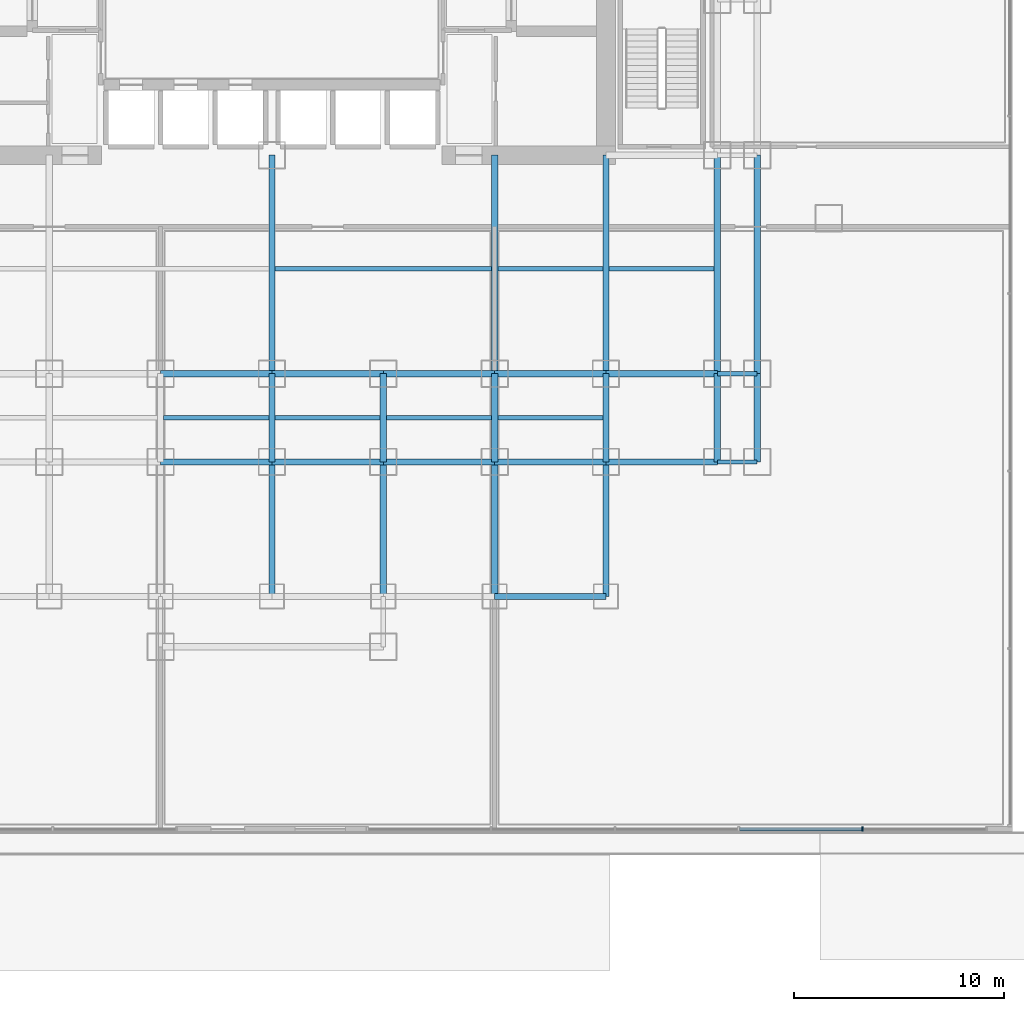
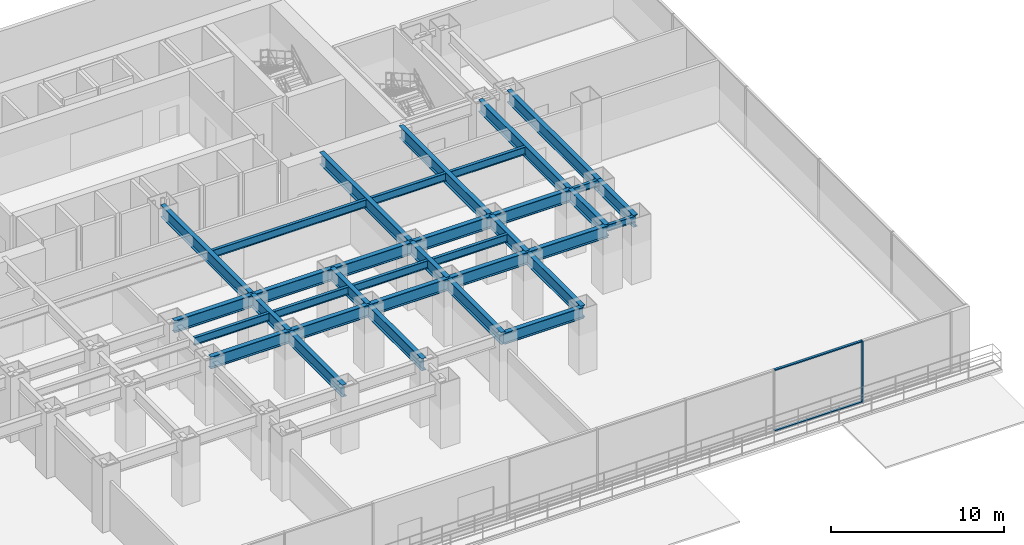
# One storey, part 4 of 13: 35 beams, 3 members, 1 element without a shape of its own.
"""IFC4 building model written with IfcOpenShell, lengths in metres."""

from ifc_helpers import new_model, si_unit, direction, frame, origin, origin_2d, place, context, subcontext, project, spatial, rectangle, i_section, extrude, source, transform, mapped, material, layer, layer_set, material_profile, profile_set, type_object, element, aggregate, save


model = new_model("IFC4")

# Units and contexts
model_context = context("Model", 3, precision=1e-05, world=origin(), true_north=direction((0.0, 1.0)))
body_context = subcontext(model_context, "Body", "Model", "MODEL_VIEW")
ifc_project = project(units=[si_unit("LENGTHUNIT", "METRE"), si_unit("AREAUNIT", "SQUARE_METRE"), si_unit("VOLUMEUNIT", "CUBIC_METRE"), si_unit("PLANEANGLEUNIT", "RADIAN"), si_unit("MASSUNIT", "GRAM", prefix="KILO")], contexts=[model_context])

# Site, building, storey
site_placement = place(None, origin())
site = spatial("IfcSite", under=ifc_project, at=site_placement, CompositionType="ELEMENT")
building_placement = place(site_placement, origin())
building = spatial("IfcBuilding", under=site, at=building_placement, Name="Qianlan Lanfeng Residences", CompositionType="ELEMENT")
storey_placement = place(building_placement, frame((0.0, 0.0, 5.199951171875)))
storey = spatial("IfcBuildingStorey", under=building, at=storey_placement, Name="L01", CompositionType="ELEMENT", Elevation=5.199951171875)

# Beams
ifc_material_1 = material(Name="Steel SN490B", Category="steel")
ifc_material_profile_1 = material_profile(ifc_material_1, i_section(OverallWidth=0.300048828125, OverallDepth=0.85009765625, WebThickness=0.01611328125, FlangeThickness=0.031982421875, at=origin_2d()), Name="H 850x300x16x32")
ifc_profile_set_1 = profile_set([ifc_material_profile_1], Name="Steel SN490B")
beam_type_1 = type_object("IfcBeamType", Name="G-1100", PredefinedType="BEAM", material=ifc_profile_set_1)
for number, where, z_axis, x_axis, name in (
    (1, (21.199951171875, 10.60009765625, 3.925048828125), (1.0, 0.0, 0.0), (0.0, 1.0, 0.0), "Structural beam G-1100"),
    (2, (26.5, 10.60009765625, 3.925048828125), (1.0, 0.0, 0.0), (0.0, 1.0, 0.0), "Structural beam G-1100"),
    (3, (31.800048828125, 10.60009765625, 3.925048828125), (1.0, 0.0, 0.0), (0.0, 1.0, 0.0), "Structural beam G-1100"),
):
    element("IfcBeam", number, at=place(storey_placement, frame(where, z_axis=z_axis, x_axis=x_axis)), inside=storey, type_object=beam_type_1, Name=name, PredefinedType="BEAM", context=body_context, shape_type="SweptSolid", body=[
        extrude(i_section(OverallWidth=0.300048828125, OverallDepth=0.85009765625, WebThickness=0.01611328125, FlangeThickness=0.031982421875, at=origin_2d()), origin(), (0.0, 0.0, 1.0), 5.300048828125),
    ])
beam_1_placement = place(storey_placement, frame((37.10009765625, 10.60009765625, 3.925048828125), z_axis=(1.0, 0.0, 0.0), x_axis=(0.0, 1.0, 0.0)))
element("IfcBeam", 4, at=beam_1_placement, inside=storey, type_object=beam_type_1, Name="Structural beam G-1100", PredefinedType="BEAM", context=body_context, shape_type="SweptSolid", body=[
    extrude(i_section(OverallWidth=0.300048828125, OverallDepth=0.85009765625, WebThickness=0.01611328125, FlangeThickness=0.031982421875, at=origin_2d()), origin(), (0.0, 0.0, 1.0), 5.2998046875),
])
for number, where, z_axis, x_axis, name in (
    (5, (42.39990234375, 10.60009765625, 3.925048828125), (1.0, 0.0, 0.0), (0.0, 1.0, 0.0), "Structural beam G-1100"),
    (6, (21.199951171875, 14.800048828125, 3.925048828125), (1.0, 0.0, 0.0), (0.0, 1.0, 0.0), "Structural beam G-1100"),
    (7, (26.5, 14.800048828125, 3.925048828125), (1.0, 0.0, 0.0), (0.0, 1.0, 0.0), "Structural beam G-1100"),
    (8, (31.800048828125, 14.800048828125, 3.925048828125), (1.0, 0.0, 0.0), (0.0, 1.0, 0.0), "Structural beam G-1100"),
):
    element("IfcBeam", number, at=place(storey_placement, frame(where, z_axis=z_axis, x_axis=x_axis)), inside=storey, type_object=beam_type_1, Name=name, PredefinedType="BEAM", context=body_context, shape_type="SweptSolid", body=[
        extrude(i_section(OverallWidth=0.300048828125, OverallDepth=0.85009765625, WebThickness=0.01611328125, FlangeThickness=0.031982421875, at=origin_2d()), origin(), (0.0, 0.0, 1.0), 5.300048828125),
    ])
beam_2_placement = place(storey_placement, frame((37.10009765625, 14.800048828125, 3.925048828125), z_axis=(1.0, 0.0, 0.0), x_axis=(0.0, 1.0, 0.0)))
element("IfcBeam", 9, at=beam_2_placement, inside=storey, type_object=beam_type_1, Name="Structural beam G-1100", PredefinedType="BEAM", context=body_context, shape_type="SweptSolid", body=[
    extrude(i_section(OverallWidth=0.300048828125, OverallDepth=0.85009765625, WebThickness=0.01611328125, FlangeThickness=0.031982421875, at=origin_2d()), origin(), (0.0, 0.0, 1.0), 5.2998046875),
])
beam_3_placement = place(storey_placement, frame((42.39990234375, 14.800048828125, 3.925048828125), z_axis=(1.0, 0.0, 0.0), x_axis=(0.0, 1.0, 0.0)))
element("IfcBeam", 10, at=beam_3_placement, inside=storey, type_object=beam_type_1, Name="Structural beam G-1100", PredefinedType="BEAM", context=body_context, shape_type="SweptSolid", body=[
    extrude(i_section(OverallWidth=0.300048828125, OverallDepth=0.85009765625, WebThickness=0.01611328125, FlangeThickness=0.031982421875, at=origin_2d()), origin(), (0.0, 0.0, 1.0), 5.300048828125),
])
beam_4_placement = place(storey_placement, frame((26.5, 4.199951171875, 3.925048828125), z_axis=(0.0, 1.0, 0.0), x_axis=(-1.0, 0.0, 0.0)))
element("IfcBeam", 11, at=beam_4_placement, inside=storey, type_object=beam_type_1, Name="Structural beam G-1100", PredefinedType="BEAM", context=body_context, shape_type="SweptSolid", body=[
    extrude(i_section(OverallWidth=0.300048828125, OverallDepth=0.85009765625, WebThickness=0.01611328125, FlangeThickness=0.031982421875, at=origin_2d()), origin(), (0.0, 0.0, 1.0), 6.400146484375),
])
beam_5_placement = place(storey_placement, frame((26.5, 10.60009765625, 3.925048828125), z_axis=(0.0, 1.0, 0.0), x_axis=(-1.0, 0.0, 0.0)))
element("IfcBeam", 12, at=beam_5_placement, inside=storey, type_object=beam_type_1, Name="Structural beam G-1100", PredefinedType="BEAM", context=body_context, shape_type="SweptSolid", body=[
    extrude(i_section(OverallWidth=0.300048828125, OverallDepth=0.85009765625, WebThickness=0.01611328125, FlangeThickness=0.031982421875, at=origin_2d()), origin(), (0.0, 0.0, 1.0), 4.199951171875),
])
beam_6_placement = place(storey_placement, frame((26.5, 14.800048828125, 3.925048828125), z_axis=(0.0, 1.0, 0.0), x_axis=(-1.0, 0.0, 0.0)))
element("IfcBeam", 13, at=beam_6_placement, inside=storey, type_object=beam_type_1, Name="Structural beam G-1100", PredefinedType="BEAM", context=body_context, shape_type="SweptSolid", body=[
    extrude(i_section(OverallWidth=0.300048828125, OverallDepth=0.85009765625, WebThickness=0.01611328125, FlangeThickness=0.031982421875, at=origin_2d()), origin(), (0.0, 0.0, 1.0), 10.39990234375),
])
beam_7_placement = place(storey_placement, frame((31.800048828125, 4.199951171875, 3.925048828125), z_axis=(0.0, 1.0, 0.0), x_axis=(-1.0, 0.0, 0.0)))
element("IfcBeam", 14, at=beam_7_placement, inside=storey, type_object=beam_type_1, Name="Structural beam G-1100", PredefinedType="BEAM", context=body_context, shape_type="SweptSolid", body=[
    extrude(i_section(OverallWidth=0.300048828125, OverallDepth=0.85009765625, WebThickness=0.01611328125, FlangeThickness=0.031982421875, at=origin_2d()), origin(), (0.0, 0.0, 1.0), 6.400146484375),
])
beam_8_placement = place(storey_placement, frame((31.800048828125, 10.60009765625, 3.925048828125), z_axis=(0.0, 1.0, 0.0), x_axis=(-1.0, 0.0, 0.0)))
element("IfcBeam", 15, at=beam_8_placement, inside=storey, type_object=beam_type_1, Name="Structural beam G-1100", PredefinedType="BEAM", context=body_context, shape_type="SweptSolid", body=[
    extrude(i_section(OverallWidth=0.300048828125, OverallDepth=0.85009765625, WebThickness=0.01611328125, FlangeThickness=0.031982421875, at=origin_2d()), origin(), (0.0, 0.0, 1.0), 4.199951171875),
])
beam_9_placement = place(storey_placement, frame((37.10009765625, 4.199951171875, 3.925048828125), z_axis=(0.0, 1.0, 0.0), x_axis=(-1.0, 0.0, 0.0)))
element("IfcBeam", 16, at=beam_9_placement, inside=storey, type_object=beam_type_1, Name="Structural beam G-1100", PredefinedType="BEAM", context=body_context, shape_type="SweptSolid", body=[
    extrude(i_section(OverallWidth=0.300048828125, OverallDepth=0.85009765625, WebThickness=0.01611328125, FlangeThickness=0.031982421875, at=origin_2d()), origin(), (0.0, 0.0, 1.0), 6.400146484375),
])
beam_10_placement = place(storey_placement, frame((37.10009765625, 10.60009765625, 3.925048828125), z_axis=(0.0, 1.0, 0.0), x_axis=(-1.0, 0.0, 0.0)))
element("IfcBeam", 17, at=beam_10_placement, inside=storey, type_object=beam_type_1, Name="Structural beam G-1100", PredefinedType="BEAM", context=body_context, shape_type="SweptSolid", body=[
    extrude(i_section(OverallWidth=0.300048828125, OverallDepth=0.85009765625, WebThickness=0.01611328125, FlangeThickness=0.031982421875, at=origin_2d()), origin(), (0.0, 0.0, 1.0), 4.199951171875),
])
beam_11_placement = place(storey_placement, frame((37.10009765625, 14.800048828125, 3.925048828125), z_axis=(0.0, 1.0, 0.0), x_axis=(-1.0, 0.0, 0.0)))
element("IfcBeam", 18, at=beam_11_placement, inside=storey, type_object=beam_type_1, Name="Structural beam G-1100", PredefinedType="BEAM", context=body_context, shape_type="SweptSolid", body=[
    extrude(i_section(OverallWidth=0.300048828125, OverallDepth=0.85009765625, WebThickness=0.01611328125, FlangeThickness=0.031982421875, at=origin_2d()), origin(), (0.0, 0.0, 1.0), 10.39990234375),
])
beam_12_placement = place(storey_placement, frame((42.39990234375, 4.199951171875, 3.925048828125), z_axis=(0.0, 1.0, 0.0), x_axis=(-1.0, 0.0, 0.0)))
element("IfcBeam", 19, at=beam_12_placement, inside=storey, type_object=beam_type_1, Name="Structural beam G-1100", PredefinedType="BEAM", context=body_context, shape_type="SweptSolid", body=[
    extrude(i_section(OverallWidth=0.300048828125, OverallDepth=0.85009765625, WebThickness=0.01611328125, FlangeThickness=0.031982421875, at=origin_2d()), origin(), (0.0, 0.0, 1.0), 6.400146484375),
])
beam_13_placement = place(storey_placement, frame((42.39990234375, 10.60009765625, 3.925048828125), z_axis=(0.0, 1.0, 0.0), x_axis=(-1.0, 0.0, 0.0)))
element("IfcBeam", 20, at=beam_13_placement, inside=storey, type_object=beam_type_1, Name="Structural beam G-1100", PredefinedType="BEAM", context=body_context, shape_type="SweptSolid", body=[
    extrude(i_section(OverallWidth=0.300048828125, OverallDepth=0.85009765625, WebThickness=0.01611328125, FlangeThickness=0.031982421875, at=origin_2d()), origin(), (0.0, 0.0, 1.0), 4.199951171875),
])
beam_14_placement = place(storey_placement, frame((42.39990234375, 14.800048828125, 3.925048828125), z_axis=(0.0, 1.0, 0.0), x_axis=(-1.0, 0.0, 0.0)))
element("IfcBeam", 21, at=beam_14_placement, inside=storey, type_object=beam_type_1, Name="Structural beam G-1100", PredefinedType="BEAM", context=body_context, shape_type="SweptSolid", body=[
    extrude(i_section(OverallWidth=0.300048828125, OverallDepth=0.85009765625, WebThickness=0.01611328125, FlangeThickness=0.031982421875, at=origin_2d()), origin(), (0.0, 0.0, 1.0), 10.39990234375),
])
beam_15_placement = place(storey_placement, frame((47.699951171875, 10.60009765625, 3.925048828125), z_axis=(0.0, 1.0, 0.0), x_axis=(-1.0, 0.0, 0.0)))
element("IfcBeam", 22, at=beam_15_placement, inside=storey, type_object=beam_type_1, Name="Structural beam G-1100", PredefinedType="BEAM", context=body_context, shape_type="SweptSolid", body=[
    extrude(i_section(OverallWidth=0.300048828125, OverallDepth=0.85009765625, WebThickness=0.01611328125, FlangeThickness=0.031982421875, at=origin_2d()), origin(), (0.0, 0.0, 1.0), 4.199951171875),
])
beam_16_placement = place(storey_placement, frame((47.699951171875, 14.800048828125, 3.925048828125), z_axis=(0.0, 1.0, 0.0), x_axis=(-1.0, 0.0, 0.0)))
element("IfcBeam", 23, at=beam_16_placement, inside=storey, type_object=beam_type_1, Name="Structural beam G-1100", PredefinedType="BEAM", context=body_context, shape_type="SweptSolid", body=[
    extrude(i_section(OverallWidth=0.300048828125, OverallDepth=0.85009765625, WebThickness=0.01611328125, FlangeThickness=0.031982421875, at=origin_2d()), origin(), (0.0, 0.0, 1.0), 10.39990234375),
])
beam_17_placement = place(storey_placement, frame((49.60009765625, 10.60009765625, 3.925048828125), z_axis=(0.0, 1.0, 0.0), x_axis=(-1.0, 0.0, 0.0)))
element("IfcBeam", 24, at=beam_17_placement, inside=storey, type_object=beam_type_1, Name="Structural beam G-1100", PredefinedType="BEAM", context=body_context, shape_type="SweptSolid", body=[
    extrude(i_section(OverallWidth=0.300048828125, OverallDepth=0.85009765625, WebThickness=0.01611328125, FlangeThickness=0.031982421875, at=origin_2d()), origin(), (0.0, 0.0, 1.0), 4.199951171875),
])
beam_18_placement = place(storey_placement, frame((49.60009765625, 14.800048828125, 3.925048828125), z_axis=(0.0, 1.0, 0.0), x_axis=(-1.0, 0.0, 0.0)))
element("IfcBeam", 25, at=beam_18_placement, inside=storey, type_object=beam_type_1, Name="Structural beam G-1100", PredefinedType="BEAM", context=body_context, shape_type="SweptSolid", body=[
    extrude(i_section(OverallWidth=0.300048828125, OverallDepth=0.85009765625, WebThickness=0.01611328125, FlangeThickness=0.031982421875, at=origin_2d()), origin(), (0.0, 0.0, 1.0), 10.39990234375),
])
ifc_material_profile_2 = material_profile(ifc_material_1, i_section(OverallWidth=0.199951171875, OverallDepth=0.449951171875, WebThickness=0.009033203125, FlangeThickness=0.013916015625, at=origin_2d()), Name="H 450x200x9x14")
ifc_profile_set_2 = profile_set([ifc_material_profile_2], Name="Steel SN490B")
beam_type_2 = type_object("IfcBeamType", Name="J-450", PredefinedType="JOIST", material=ifc_profile_set_2)
for number, where, z_axis, x_axis, name in (
    (26, (47.699951171875, 10.60009765625, 4.125), (1.0, 0.0, 0.0), (0.0, 1.0, 0.0), "Structural beam J-450"),
    (27, (47.699951171875, 14.800048828125, 4.125), (1.0, 0.0, 0.0), (0.0, 1.0, 0.0), "Structural beam J-450"),
):
    element("IfcBeam", number, at=place(storey_placement, frame(where, z_axis=z_axis, x_axis=x_axis)), inside=storey, type_object=beam_type_2, Name=name, PredefinedType="JOIST", context=body_context, shape_type="SweptSolid", body=[
        extrude(i_section(OverallWidth=0.199951171875, OverallDepth=0.449951171875, WebThickness=0.009033203125, FlangeThickness=0.013916015625, at=origin_2d()), origin(), (0.0, 0.0, 1.0), 1.900146484375),
    ])
ifc_material_profile_3 = material_profile(ifc_material_1, i_section(OverallWidth=0.199951171875, OverallDepth=0.550048828125, WebThickness=0.010986328125, FlangeThickness=0.01806640625, at=origin_2d()), Name="H 550x200x11x18")
ifc_profile_set_3 = profile_set([ifc_material_profile_3], Name="Steel SN490B")
beam_type_3 = type_object("IfcBeamType", Name="J-550", PredefinedType="JOIST", material=ifc_profile_set_3)
for number, where, z_axis, x_axis, name in (
    (28, (21.35009765625, 12.699951171875, 4.074951171875), (1.0, 0.0, 0.0), (0.0, 1.0, 0.0), "Structural beam J-550"),
    (29, (26.64990234375, 12.699951171875, 4.074951171875), (1.0, 0.0, 0.0), (0.0, 1.0, 0.0), "Structural beam J-550"),
    (30, (31.949951171875, 12.699951171875, 4.074951171875), (1.0, 0.0, 0.0), (0.0, 1.0, 0.0), "Structural beam J-550"),
    (31, (37.25, 12.699951171875, 4.074951171875), (1.0, 0.0, 0.0), (0.0, 1.0, 0.0), "Structural beam J-550"),
):
    element("IfcBeam", number, at=place(storey_placement, frame(where, z_axis=z_axis, x_axis=x_axis)), inside=storey, type_object=beam_type_3, Name=name, PredefinedType="JOIST", context=body_context, shape_type="SweptSolid", body=[
        extrude(i_section(OverallWidth=0.199951171875, OverallDepth=0.550048828125, WebThickness=0.010986328125, FlangeThickness=0.01806640625, at=origin_2d()), origin(), (0.0, 0.0, 1.0), 5.0),
    ])
beam_19_placement = place(storey_placement, frame((26.64990234375, 19.800048828125, 4.074951171875), z_axis=(1.0, 0.0, 0.0), x_axis=(0.0, 1.0, 0.0)))
element("IfcBeam", 32, at=beam_19_placement, inside=storey, type_object=beam_type_3, Name="Structural beam J-550", PredefinedType="JOIST", context=body_context, shape_type="SweptSolid", body=[
    extrude(i_section(OverallWidth=0.199951171875, OverallDepth=0.550048828125, WebThickness=0.010986328125, FlangeThickness=0.01806640625, at=origin_2d()), origin(), (0.0, 0.0, 1.0), 10.300048828125),
])
for number, where, z_axis, x_axis, name in (
    (33, (37.25, 19.800048828125, 4.074951171875), (1.0, 0.0, 0.0), (0.0, 1.0, 0.0), "Structural beam J-550"),
    (34, (42.550048828125, 19.800048828125, 4.074951171875), (1.0, 0.0, 0.0), (0.0, 1.0, 0.0), "Structural beam J-550"),
):
    element("IfcBeam", number, at=place(storey_placement, frame(where, z_axis=z_axis, x_axis=x_axis)), inside=storey, type_object=beam_type_3, Name=name, PredefinedType="JOIST", context=body_context, shape_type="SweptSolid", body=[
        extrude(i_section(OverallWidth=0.199951171875, OverallDepth=0.550048828125, WebThickness=0.010986328125, FlangeThickness=0.01806640625, at=origin_2d()), origin(), (0.0, 0.0, 1.0), 5.0),
    ])
ifc_material_profile_4 = material_profile(ifc_material_1, i_section(OverallWidth=0.300048828125, OverallDepth=0.800048828125, WebThickness=0.01611328125, FlangeThickness=0.028076171875, at=origin_2d()), Name="H 800x300x16x28")
ifc_profile_set_4 = profile_set([ifc_material_profile_4], Name="Steel SN490B")
beam_type_4 = type_object("IfcBeamType", Name="SG-950", PredefinedType="SPANDREL", material=ifc_profile_set_4)
beam_20_placement = place(storey_placement, frame((37.10009765625, 4.199951171875, 3.949951171875), z_axis=(1.0, 0.0, 0.0), x_axis=(0.0, 1.0, 0.0)))
element("IfcBeam", 35, at=beam_20_placement, inside=storey, type_object=beam_type_4, Name="Structural beam SG-950", PredefinedType="SPANDREL", context=body_context, shape_type="SweptSolid", body=[
    extrude(i_section(OverallWidth=0.300048828125, OverallDepth=0.800048828125, WebThickness=0.01611328125, FlangeThickness=0.028076171875, at=origin_2d()), origin(), (0.0, 0.0, 1.0), 5.2998046875),
])

# Curtain wall, members
ifc_material_2 = material(Name="Anodised Bronze Aluminium 6063-T6", Category="aluminium")
ifc_layer = layer(ifc_material_2, 0.219970703125)
ifc_layer_set = layer_set([ifc_layer], Name="Anodised Bronze Aluminium 6063-T6")
curtain_wall_type = type_object("IfcCurtainWallType", Name="CW-01", PredefinedType="NOTDEFINED", material=ifc_layer_set)
curtain_wall_placement = place(storey_placement, origin())
curtain_wall = element("IfcCurtainWall", 36, at=curtain_wall_placement, inside=storey, type_object=curtain_wall_type, Name="L01 Unitised Curtain Wall CWR-L01-SE (CW-01)", PredefinedType="NOTDEFINED")
ifc_material_profile_5 = material_profile(ifc_material_2, rectangle(XDim=0.080078125, YDim=0.2099609375, at=origin_2d()), Name="ALU MULLION 80x210")
ifc_profile_set_5 = profile_set([ifc_material_profile_5], Name="Anodised Bronze Aluminium 6063-T6")
member_type_1 = type_object("IfcMemberType", Name="CWM-220", PredefinedType="MULLION", material=ifc_profile_set_5)
shared_shape_1 = source(origin(), body_context, "Body", "SweptSolid", [
    extrude(rectangle(XDim=0.080078125, YDim=0.2099609375, at=origin_2d()), origin(), (0.0, 0.0, 1.0), 4.35009765625),
])
member_1_placement = place(storey_placement, frame((54.615966796875, -6.8798828125, 0.0), z_axis=(0.0, 0.0, 1.0), x_axis=(1.0, 0.0, 0.0)))
member_1 = element("IfcMember", 37, at=member_1_placement, type_object=member_type_1, Name="CWR-L01-SE Mullion 5", PredefinedType="MULLION", context=body_context, shape_type="MappedRepresentation", body=[
    mapped(shared_shape_1, transform((0.0, 0.0, 0.0), scale=1.0)),
])
ifc_material_profile_6 = material_profile(ifc_material_2, rectangle(XDim=0.080078125, YDim=0.159912109375, at=origin_2d()), Name="ALU TRANSOM 80x160")
ifc_profile_set_6 = profile_set([ifc_material_profile_6], Name="Anodised Bronze Aluminium 6063-T6")
member_type_2 = type_object("IfcMemberType", Name="CWT-180", PredefinedType="USERDEFINED", material=ifc_profile_set_6)
shared_shape_2 = source(origin(), body_context, "Body", "SweptSolid", [
    extrude(rectangle(XDim=0.080078125, YDim=0.159912109375, at=origin_2d()), origin(), (0.0, 0.0, 1.0), 5.81396484375),
])
member_2_placement = place(storey_placement, frame((48.761962890625, -6.8798828125, 0.0400390625), z_axis=(1.0, 0.0, 0.0), x_axis=(0.0, 0.0, 1.0)))
member_2 = element("IfcMember", 38, at=member_2_placement, type_object=member_type_2, Name="CWR-L01-SE Transom 4-BOT", ObjectType="TRANSOM", PredefinedType="USERDEFINED", context=body_context, shape_type="MappedRepresentation", body=[
    mapped(shared_shape_2, transform((0.0, 0.0, 0.0), scale=1.0)),
])
member_3_placement = place(storey_placement, frame((48.761962890625, -6.8798828125, 4.31005859375), z_axis=(1.0, 0.0, 0.0), x_axis=(0.0, 0.0, 1.0)))
member_3 = element("IfcMember", 39, at=member_3_placement, type_object=member_type_2, Name="CWR-L01-SE Transom 4-TOP", ObjectType="TRANSOM", PredefinedType="USERDEFINED", context=body_context, shape_type="MappedRepresentation", body=[
    mapped(shared_shape_2, transform((0.0, 0.0, 0.0), scale=1.0)),
])
aggregate(curtain_wall, [member_1, member_2, member_3])

save(model, "model.ifc")
